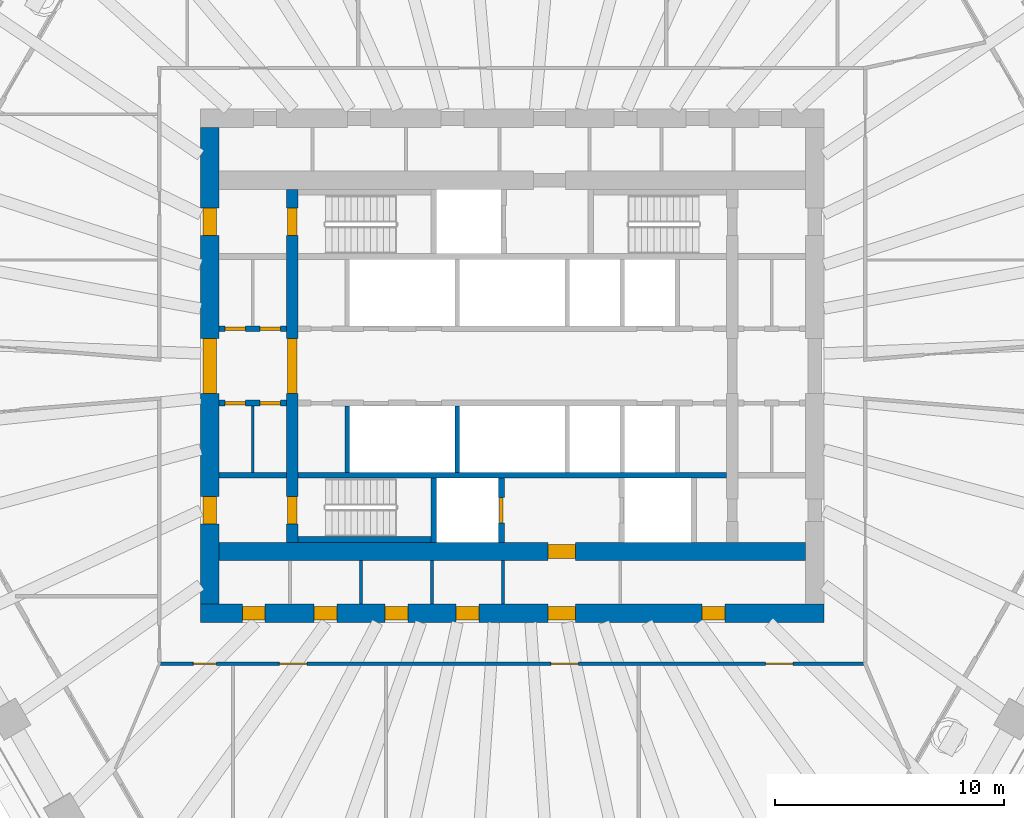
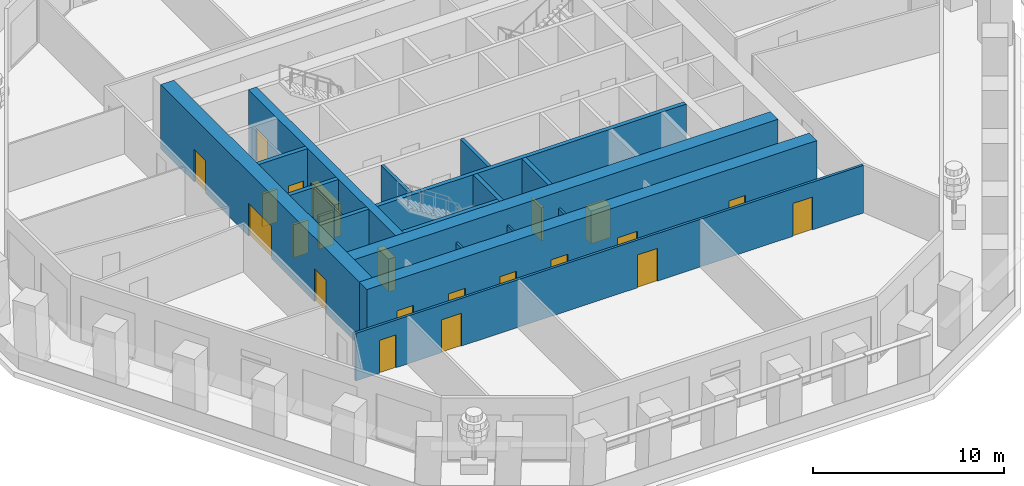
# One storey, part 4 of 13: 22 doors, 18 walls, 22 openings.
"""IFC4 building model written with IfcOpenShell, lengths in metres."""

from ifc_helpers import new_model, si_unit, direction, frame, frame_2d, origin, place, context, subcontext, project, spatial, rectangle, extrude, material, layer, layer_set, type_object, element, fill, save


model = new_model("IFC4")

# Units and contexts
model_context = context("Model", 3, precision=1e-05, world=origin(), true_north=direction((0.0, 1.0)))
body_context = subcontext(model_context, "Body", "Model", "MODEL_VIEW")
ifc_project = project(units=[si_unit("LENGTHUNIT", "METRE"), si_unit("AREAUNIT", "SQUARE_METRE"), si_unit("VOLUMEUNIT", "CUBIC_METRE"), si_unit("PLANEANGLEUNIT", "RADIAN"), si_unit("MASSUNIT", "GRAM", prefix="KILO")], contexts=[model_context])

# Site, building, storey
site_placement = place(None, origin())
site = spatial("IfcSite", under=ifc_project, at=site_placement, CompositionType="ELEMENT")
building_placement = place(site_placement, origin())
building = spatial("IfcBuilding", under=site, at=building_placement, Name="Frailejon Research Tower", CompositionType="ELEMENT")
storey_placement = place(building_placement, frame((0.0, 0.0, 117.60009765625)))
storey = spatial("IfcBuildingStorey", under=building, at=storey_placement, Name="L25", CompositionType="ELEMENT", Elevation=117.60009765625)

# Walls
ifc_material_1 = material(Name="Plasterboard on steel studs", Category="steel")
ifc_layer_1 = layer(ifc_material_1, 0.125)
ifc_layer_set_1 = layer_set([ifc_layer_1], Name="Core partition 125")
wall_type_1 = type_object("IfcWallType", Name="Core partition 125", PredefinedType="PARTITIONING", material=ifc_layer_set_1)
for number, where, z_axis, x_axis, name in (
    (1, (-6.606201171875, -10.39990234375, 0.0), (0.0, 0.0, 1.0), (0.0, 1.0, 0.0), "Core partition"),
    (2, (-3.509521484375, -10.39990234375, 0.0), (0.0, 0.0, 1.0), (0.0, 1.0, 0.0), "Core partition"),
    (3, (-0.41259765625, -10.39990234375, 0.0), (0.0, 0.0, 1.0), (0.0, 1.0, 0.0), "Core partition"),
):
    element("IfcWall", number, at=place(storey_placement, frame(where, z_axis=z_axis, x_axis=x_axis)), inside=storey, type_object=wall_type_1, Name=name, PredefinedType="PARTITIONING", context=body_context, shape_type="SweptSolid", body=[
        extrude(rectangle(XDim=1.89990234375, YDim=0.125, at=frame_2d((0.949951171875, 0.0))), origin(), (0.0, 0.0, 1.0), 3.0498046875),
    ])
wall_1_placement = place(storey_placement, frame((-11.324951171875, -4.64990234375, 0.0), z_axis=(0.0, 0.0, 1.0), x_axis=(0.0, 1.0, 0.0)))
element("IfcWall", 4, at=wall_1_placement, inside=storey, type_object=wall_type_1, Name="Core partition", PredefinedType="PARTITIONING", context=body_context, shape_type="SweptSolid", body=[
    extrude(rectangle(XDim=2.89990234375, YDim=0.125, at=frame_2d((1.449951171875, 0.0))), origin(), (0.0, 0.0, 1.0), 4.099853515625),
])

# Wall, openings, doors
ifc_material_2 = material(Name="Concrete C70/85", Category="concrete")
ifc_layer_2 = layer(ifc_material_2, 0.5)
ifc_layer_set_2 = layer_set([ifc_layer_2], Name="Core shear wall 500 C70/85")
wall_type_2 = type_object("IfcWallType", Name="Core shear wall 500 C70/85", PredefinedType="SHEAR", material=ifc_layer_set_2)
wall_2_placement = place(storey_placement, frame((-9.60009765625, -7.699951171875, 0.0), z_axis=(0.0, 0.0, 1.0), x_axis=(0.0, 1.0, 0.0)))
wall_2 = element("IfcWall", 5, at=wall_2_placement, inside=storey, type_object=wall_type_2, Name="Core shear wall", PredefinedType="SHEAR", context=body_context, shape_type="SweptSolid", body=[
    extrude(rectangle(XDim=15.39990234375, YDim=0.5, at=frame_2d((7.699951171875, 0.0))), origin(), (0.0, 0.0, 1.0), 4.099853515625),
])
opening_1_placement = place(wall_2_placement, frame((6.5, 0.0, 0.0)))
opening_1 = element("IfcOpeningElement", 6, at=opening_1_placement, cuts=wall_2, Name="Opening D2", PredefinedType="OPENING", context=body_context, shape_type="SweptSolid", body=[
    extrude(rectangle(XDim=2.39990234375, YDim=2.10009765625, at=frame_2d((1.199951171875, 1.050048828125))), frame((0.0, 0.260009765625, 0.0), z_axis=(0.0, -1.0, 0.0), x_axis=(1.0, 0.0, 0.0)), (0.0, 0.0, 1.0), 0.52001953125),
])
opening_2_placement = place(wall_2_placement, frame((13.39990234375, 0.0, 0.0)))
opening_2 = element("IfcOpeningElement", 7, at=opening_2_placement, cuts=wall_2, Name="Opening D1", PredefinedType="OPENING", context=body_context, shape_type="SweptSolid", body=[
    extrude(rectangle(XDim=1.199951171875, YDim=2.10009765625, at=frame_2d((0.60009765625, 1.050048828125))), frame((0.0, 0.260009765625, 0.0), z_axis=(0.0, -1.0, 0.0), x_axis=(1.0, 0.0, 0.0)), (0.0, 0.0, 1.0), 0.52001953125),
])
opening_3_placement = place(wall_2_placement, frame((0.800048828125, 0.0, 0.0)))
opening_3 = element("IfcOpeningElement", 8, at=opening_3_placement, cuts=wall_2, Name="Opening D1", PredefinedType="OPENING", context=body_context, shape_type="SweptSolid", body=[
    extrude(rectangle(XDim=1.199951171875, YDim=2.10009765625, at=frame_2d((0.60009765625, 1.050048828125))), frame((0.0, 0.260009765625, 0.0), z_axis=(0.0, -1.0, 0.0), x_axis=(1.0, 0.0, 0.0)), (0.0, 0.0, 1.0), 0.52001953125),
])
ifc_material_3 = material(Name="Steel", Category="steel")
door_type_1 = type_object("IfcDoorType", Name="Lobby double door", OperationType="DOUBLE_DOOR_SINGLE_SWING", PredefinedType="DOOR", material=ifc_material_3)
door_1_placement = place(opening_1_placement, origin())
door_1 = element("IfcDoor", 9, at=door_1_placement, inside=storey, type_object=door_type_1, Name="Lobby door", OperationType="DOUBLE_DOOR_SINGLE_SWING", OverallHeight=2.10009765625, OverallWidth=2.39990234375, PredefinedType="DOOR", context=body_context, shape_type="SweptSolid", body=[
    extrude(rectangle(XDim=2.39990234375, YDim=2.10009765625, at=frame_2d((1.199951171875, 1.050048828125))), frame((0.0, 0.199951171875, 0.0), z_axis=(0.0, -1.0, 0.0), x_axis=(1.0, 0.0, 0.0)), (0.0, 0.0, 1.0), 0.39990234375),
])
fill(opening_1, door_1)
ifc_material_4 = material(Name="Steel", Category="steel")
door_type_2 = type_object("IfcDoorType", Name="Stair door", OperationType="SINGLE_SWING_LEFT", PredefinedType="DOOR", material=ifc_material_4)
door_2_placement = place(opening_2_placement, origin())
door_2 = element("IfcDoor", 10, at=door_2_placement, inside=storey, type_object=door_type_2, Name="Stair door ST1", OperationType="SINGLE_SWING_LEFT", OverallHeight=2.10009765625, OverallWidth=1.199951171875, PredefinedType="DOOR", context=body_context, shape_type="SweptSolid", body=[
    extrude(rectangle(XDim=1.199951171875, YDim=2.10009765625, at=frame_2d((0.60009765625, 1.050048828125))), frame((0.0, 0.199951171875, 0.0), z_axis=(0.0, -1.0, 0.0), x_axis=(1.0, 0.0, 0.0)), (0.0, 0.0, 1.0), 0.39990234375),
])
fill(opening_2, door_2)
door_3_placement = place(opening_3_placement, origin())
door_3 = element("IfcDoor", 11, at=door_3_placement, inside=storey, type_object=door_type_2, Name="Stair door ST2", OperationType="SINGLE_SWING_LEFT", OverallHeight=2.10009765625, OverallWidth=1.199951171875, PredefinedType="DOOR", context=body_context, shape_type="SweptSolid", body=[
    extrude(rectangle(XDim=1.199951171875, YDim=2.10009765625, at=frame_2d((0.60009765625, 1.050048828125))), frame((0.0, 0.199951171875, 0.0), z_axis=(0.0, -1.0, 0.0), x_axis=(1.0, 0.0, 0.0)), (0.0, 0.0, 1.0), 0.39990234375),
])
fill(opening_3, door_3)

ifc_material_5 = material(Name="Concrete C70/85", Category="concrete")
ifc_layer_3 = layer(ifc_material_5, 0.800048828125)
ifc_layer_set_3 = layer_set([ifc_layer_3], Name="Core shear wall 800 C70/85")
wall_type_3 = type_object("IfcWallType", Name="Core shear wall 800 C70/85", PredefinedType="SHEAR", material=ifc_layer_set_3)
wall_3_placement = place(storey_placement, frame((-13.60009765625, -10.800048828125, 0.0), z_axis=(0.0, 0.0, 1.0), x_axis=(1.0, 0.0, 0.0)))
wall_3 = element("IfcWall", 12, at=wall_3_placement, inside=storey, type_object=wall_type_3, Name="Core shear wall", PredefinedType="SHEAR", context=body_context, shape_type="SweptSolid", body=[
    extrude(rectangle(XDim=27.2001953125, YDim=0.800048828125, at=frame_2d((13.60009765625, 0.0))), origin(), (0.0, 0.0, 1.0), 4.099853515625),
])
opening_4_placement = place(wall_3_placement, frame((1.817138671875, 0.0, 0.0)))
opening_4 = element("IfcOpeningElement", 13, at=opening_4_placement, cuts=wall_3, Name="Opening D4", PredefinedType="OPENING", context=body_context, shape_type="SweptSolid", body=[
    extrude(rectangle(XDim=1.0, YDim=2.10009765625, at=frame_2d((0.5, 1.050048828125))), frame((0.0, 0.409912109375, 0.0), z_axis=(0.0, -1.0, 0.0), x_axis=(1.0, 0.0, 0.0)), (0.0, 0.0, 1.0), 0.820068359375),
])
opening_5_placement = place(wall_3_placement, frame((4.9453125, 0.0, 0.0)))
opening_5 = element("IfcOpeningElement", 14, at=opening_5_placement, cuts=wall_3, Name="Opening D4", PredefinedType="OPENING", context=body_context, shape_type="SweptSolid", body=[
    extrude(rectangle(XDim=1.0, YDim=2.10009765625, at=frame_2d((0.5, 1.050048828125))), frame((0.0, 0.409912109375, 0.0), z_axis=(0.0, -1.0, 0.0), x_axis=(1.0, 0.0, 0.0)), (0.0, 0.0, 1.0), 0.820068359375),
])
opening_6_placement = place(wall_3_placement, frame((8.042236328125, 0.0, 0.0)))
opening_6 = element("IfcOpeningElement", 15, at=opening_6_placement, cuts=wall_3, Name="Opening D4", PredefinedType="OPENING", context=body_context, shape_type="SweptSolid", body=[
    extrude(rectangle(XDim=1.0, YDim=2.10009765625, at=frame_2d((0.5, 1.050048828125))), frame((0.0, 0.409912109375, 0.0), z_axis=(0.0, -1.0, 0.0), x_axis=(1.0, 0.0, 0.0)), (0.0, 0.0, 1.0), 0.820068359375),
])
opening_7_placement = place(wall_3_placement, frame((11.13916015625, 0.0, 0.0)))
opening_7 = element("IfcOpeningElement", 16, at=opening_7_placement, cuts=wall_3, Name="Opening D4", PredefinedType="OPENING", context=body_context, shape_type="SweptSolid", body=[
    extrude(rectangle(XDim=1.0, YDim=2.10009765625, at=frame_2d((0.5, 1.050048828125))), frame((0.0, 0.409912109375, 0.0), z_axis=(0.0, -1.0, 0.0), x_axis=(1.0, 0.0, 0.0)), (0.0, 0.0, 1.0), 0.820068359375),
])
opening_8_placement = place(wall_3_placement, frame((21.887451171875, 0.0, 0.0)))
opening_8 = element("IfcOpeningElement", 17, at=opening_8_placement, cuts=wall_3, Name="Opening D4", PredefinedType="OPENING", context=body_context, shape_type="SweptSolid", body=[
    extrude(rectangle(XDim=1.0, YDim=2.10009765625, at=frame_2d((0.5, 1.050048828125))), frame((0.0, 0.409912109375, 0.0), z_axis=(0.0, -1.0, 0.0), x_axis=(1.0, 0.0, 0.0)), (0.0, 0.0, 1.0), 0.820068359375),
])
opening_9_placement = place(wall_3_placement, frame((15.14990234375, 0.0, 0.0)))
opening_9 = element("IfcOpeningElement", 18, at=opening_9_placement, cuts=wall_3, Name="Opening D3", PredefinedType="OPENING", context=body_context, shape_type="SweptSolid", body=[
    extrude(rectangle(XDim=1.199951171875, YDim=2.10009765625, at=frame_2d((0.60009765625, 1.050048828125))), frame((0.0, 0.409912109375, 0.0), z_axis=(0.0, -1.0, 0.0), x_axis=(1.0, 0.0, 0.0)), (0.0, 0.0, 1.0), 0.820068359375),
])
ifc_material_6 = material(Name="Steel", Category="steel")
door_type_3 = type_object("IfcDoorType", Name="Firefighting lobby door", OperationType="SINGLE_SWING_LEFT", PredefinedType="DOOR", material=ifc_material_6)
door_4_placement = place(opening_9_placement, origin())
door_4 = element("IfcDoor", 19, at=door_4_placement, inside=storey, type_object=door_type_3, Name="Passage door", OperationType="SINGLE_SWING_LEFT", OverallHeight=2.10009765625, OverallWidth=1.199951171875, PredefinedType="DOOR", context=body_context, shape_type="SweptSolid", body=[
    extrude(rectangle(XDim=1.199951171875, YDim=2.10009765625, at=frame_2d((0.60009765625, 1.050048828125))), frame((0.0, 0.300048828125, 0.0), z_axis=(0.0, -1.0, 0.0), x_axis=(1.0, 0.0, 0.0)), (0.0, 0.0, 1.0), 0.60009765625),
])
fill(opening_9, door_4)
ifc_material_7 = material(Name="Steel", Category="steel")
door_type_4 = type_object("IfcDoorType", Name="Service door", OperationType="SINGLE_SWING_LEFT", PredefinedType="DOOR", material=ifc_material_7)
door_5_placement = place(opening_4_placement, origin())
door_5 = element("IfcDoor", 20, at=door_5_placement, inside=storey, type_object=door_type_4, Name="Room door", OperationType="SINGLE_SWING_RIGHT", OverallHeight=2.10009765625, OverallWidth=1.0, PredefinedType="DOOR", context=body_context, shape_type="SweptSolid", body=[
    extrude(rectangle(XDim=1.0, YDim=2.10009765625, at=frame_2d((0.5, 1.050048828125))), frame((0.0, 0.300048828125, 0.0), z_axis=(0.0, -1.0, 0.0), x_axis=(1.0, 0.0, 0.0)), (0.0, 0.0, 1.0), 0.60009765625),
])
fill(opening_4, door_5)
door_6_placement = place(opening_5_placement, origin())
door_6 = element("IfcDoor", 21, at=door_6_placement, inside=storey, type_object=door_type_4, Name="Room door", OperationType="SINGLE_SWING_LEFT", OverallHeight=2.10009765625, OverallWidth=1.0, PredefinedType="DOOR", context=body_context, shape_type="SweptSolid", body=[
    extrude(rectangle(XDim=1.0, YDim=2.10009765625, at=frame_2d((0.5, 1.050048828125))), frame((0.0, 0.300048828125, 0.0), z_axis=(0.0, -1.0, 0.0), x_axis=(1.0, 0.0, 0.0)), (0.0, 0.0, 1.0), 0.60009765625),
])
fill(opening_5, door_6)
door_7_placement = place(opening_6_placement, origin())
door_7 = element("IfcDoor", 22, at=door_7_placement, inside=storey, type_object=door_type_4, Name="Room door", OperationType="SINGLE_SWING_RIGHT", OverallHeight=2.10009765625, OverallWidth=1.0, PredefinedType="DOOR", context=body_context, shape_type="SweptSolid", body=[
    extrude(rectangle(XDim=1.0, YDim=2.10009765625, at=frame_2d((0.5, 1.050048828125))), frame((0.0, 0.300048828125, 0.0), z_axis=(0.0, -1.0, 0.0), x_axis=(1.0, 0.0, 0.0)), (0.0, 0.0, 1.0), 0.60009765625),
])
fill(opening_6, door_7)
door_8_placement = place(opening_7_placement, origin())
door_8 = element("IfcDoor", 23, at=door_8_placement, inside=storey, type_object=door_type_4, Name="Room door", OperationType="SINGLE_SWING_LEFT", OverallHeight=2.10009765625, OverallWidth=1.0, PredefinedType="DOOR", context=body_context, shape_type="SweptSolid", body=[
    extrude(rectangle(XDim=1.0, YDim=2.10009765625, at=frame_2d((0.5, 1.050048828125))), frame((0.0, 0.300048828125, 0.0), z_axis=(0.0, -1.0, 0.0), x_axis=(1.0, 0.0, 0.0)), (0.0, 0.0, 1.0), 0.60009765625),
])
fill(opening_7, door_8)
door_9_placement = place(opening_8_placement, origin())
door_9 = element("IfcDoor", 24, at=door_9_placement, inside=storey, type_object=door_type_4, Name="Room door", OperationType="SINGLE_SWING_RIGHT", OverallHeight=2.10009765625, OverallWidth=1.0, PredefinedType="DOOR", context=body_context, shape_type="SweptSolid", body=[
    extrude(rectangle(XDim=1.0, YDim=2.10009765625, at=frame_2d((0.5, 1.050048828125))), frame((0.0, 0.300048828125, 0.0), z_axis=(0.0, -1.0, 0.0), x_axis=(1.0, 0.0, 0.0)), (0.0, 0.0, 1.0), 0.60009765625),
])
fill(opening_8, door_9)

wall_4_placement = place(storey_placement, frame((-13.199951171875, -10.39990234375, 0.0), z_axis=(0.0, 0.0, 1.0), x_axis=(0.0, 1.0, 0.0)))
wall_4 = element("IfcWall", 25, at=wall_4_placement, inside=storey, type_object=wall_type_3, Name="Core shear wall", PredefinedType="SHEAR", context=body_context, shape_type="SweptSolid", body=[
    extrude(rectangle(XDim=20.7998046875, YDim=0.800048828125, at=frame_2d((10.39990234375, 0.0))), origin(), (0.0, 0.0, 1.0), 4.099853515625),
])
opening_10_placement = place(wall_4_placement, frame((9.199951171875, 0.0, 0.0)))
opening_10 = element("IfcOpeningElement", 26, at=opening_10_placement, cuts=wall_4, Name="Opening D2", PredefinedType="OPENING", context=body_context, shape_type="SweptSolid", body=[
    extrude(rectangle(XDim=2.39990234375, YDim=2.10009765625, at=frame_2d((1.199951171875, 1.050048828125))), frame((0.0, 0.409912109375, 0.0), z_axis=(0.0, -1.0, 0.0), x_axis=(1.0, 0.0, 0.0)), (0.0, 0.0, 1.0), 0.820068359375),
])
opening_11_placement = place(wall_4_placement, frame((16.10009765625, 0.0, 0.0)))
opening_11 = element("IfcOpeningElement", 27, at=opening_11_placement, cuts=wall_4, Name="Opening D7", PredefinedType="OPENING", context=body_context, shape_type="SweptSolid", body=[
    extrude(rectangle(XDim=1.199951171875, YDim=2.10009765625, at=frame_2d((0.60009765625, 1.050048828125))), frame((0.0, 0.409912109375, 0.0), z_axis=(0.0, -1.0, 0.0), x_axis=(1.0, 0.0, 0.0)), (0.0, 0.0, 1.0), 0.820068359375),
])
opening_12_placement = place(wall_4_placement, frame((3.5, 0.0, 0.0)))
opening_12 = element("IfcOpeningElement", 28, at=opening_12_placement, cuts=wall_4, Name="Opening D7", PredefinedType="OPENING", context=body_context, shape_type="SweptSolid", body=[
    extrude(rectangle(XDim=1.199951171875, YDim=2.10009765625, at=frame_2d((0.60009765625, 1.050048828125))), frame((0.0, 0.409912109375, 0.0), z_axis=(0.0, -1.0, 0.0), x_axis=(1.0, 0.0, 0.0)), (0.0, 0.0, 1.0), 0.820068359375),
])
door_10_placement = place(opening_10_placement, origin())
door_10 = element("IfcDoor", 29, at=door_10_placement, inside=storey, type_object=door_type_1, Name="Lobby door", OperationType="DOUBLE_DOOR_SINGLE_SWING", OverallHeight=2.10009765625, OverallWidth=2.39990234375, PredefinedType="DOOR", context=body_context, shape_type="SweptSolid", body=[
    extrude(rectangle(XDim=2.39990234375, YDim=2.10009765625, at=frame_2d((1.199951171875, 1.050048828125))), frame((0.0, 0.300048828125, 0.0), z_axis=(0.0, -1.0, 0.0), x_axis=(1.0, 0.0, 0.0)), (0.0, 0.0, 1.0), 0.60009765625),
])
fill(opening_10, door_10)
ifc_material_8 = material(Name="Steel", Category="steel")
door_type_5 = type_object("IfcDoorType", Name="Stair exit door", OperationType="SINGLE_SWING_LEFT", PredefinedType="DOOR", material=ifc_material_8)
door_11_placement = place(opening_11_placement, origin())
door_11 = element("IfcDoor", 30, at=door_11_placement, inside=storey, type_object=door_type_5, Name="Stair exit door ST1", OperationType="SINGLE_SWING_RIGHT", OverallHeight=2.10009765625, OverallWidth=1.199951171875, PredefinedType="DOOR", context=body_context, shape_type="SweptSolid", body=[
    extrude(rectangle(XDim=1.199951171875, YDim=2.10009765625, at=frame_2d((0.60009765625, 1.050048828125))), frame((0.0, 0.300048828125, 0.0), z_axis=(0.0, -1.0, 0.0), x_axis=(1.0, 0.0, 0.0)), (0.0, 0.0, 1.0), 0.60009765625),
])
fill(opening_11, door_11)
door_12_placement = place(opening_12_placement, origin())
door_12 = element("IfcDoor", 31, at=door_12_placement, inside=storey, type_object=door_type_5, Name="Stair exit door ST2", OperationType="SINGLE_SWING_RIGHT", OverallHeight=2.10009765625, OverallWidth=1.199951171875, PredefinedType="DOOR", context=body_context, shape_type="SweptSolid", body=[
    extrude(rectangle(XDim=1.199951171875, YDim=2.10009765625, at=frame_2d((0.60009765625, 1.050048828125))), frame((0.0, 0.300048828125, 0.0), z_axis=(0.0, -1.0, 0.0), x_axis=(1.0, 0.0, 0.0)), (0.0, 0.0, 1.0), 0.60009765625),
])
fill(opening_12, door_12)

# Wall, opening, door
wall_5_placement = place(storey_placement, frame((-12.800048828125, -8.10009765625, 0.0), z_axis=(0.0, 0.0, 1.0), x_axis=(1.0, 0.0, 0.0)))
wall_5 = element("IfcWall", 32, at=wall_5_placement, inside=storey, type_object=wall_type_3, Name="Core shear wall", PredefinedType="SHEAR", context=body_context, shape_type="SweptSolid", body=[
    extrude(rectangle(XDim=25.60009765625, YDim=0.800048828125, at=frame_2d((12.800048828125, 0.0))), origin(), (0.0, 0.0, 1.0), 4.099853515625),
])
opening_13_placement = place(wall_5_placement, frame((14.35009765625, 0.0, 0.0)))
opening_13 = element("IfcOpeningElement", 33, at=opening_13_placement, cuts=wall_5, Name="Opening D3", PredefinedType="OPENING", context=body_context, shape_type="SweptSolid", body=[
    extrude(rectangle(XDim=1.199951171875, YDim=2.10009765625, at=frame_2d((0.60009765625, 1.050048828125))), frame((0.0, 0.409912109375, 0.0), z_axis=(0.0, -1.0, 0.0), x_axis=(1.0, 0.0, 0.0)), (0.0, 0.0, 1.0), 0.820068359375),
])
door_13_placement = place(opening_13_placement, origin())
door_13 = element("IfcDoor", 34, at=door_13_placement, inside=storey, type_object=door_type_3, Name="Firefighting lobby door", OperationType="SINGLE_SWING_LEFT", OverallHeight=2.10009765625, OverallWidth=1.199951171875, PredefinedType="DOOR", context=body_context, shape_type="SweptSolid", body=[
    extrude(rectangle(XDim=1.199951171875, YDim=2.10009765625, at=frame_2d((0.60009765625, 1.050048828125))), frame((0.0, 0.300048828125, 0.0), z_axis=(0.0, -1.0, 0.0), x_axis=(1.0, 0.0, 0.0)), (0.0, 0.0, 1.0), 0.60009765625),
])
fill(opening_13, door_13)

# Wall, openings, doors
ifc_material_9 = material(Name="Gypsum board and masonry partition", Category="masonry")
ifc_layer_4 = layer(ifc_material_9, 0.14990234375)
ifc_layer_set_4 = layer_set([ifc_layer_4], Name="Corridor wall EI 60, gypsum on steel studs 150")
wall_type_4 = type_object("IfcWallType", Name="Corridor wall EI 60, gypsum on steel studs 150", PredefinedType="PARTITIONING", material=ifc_layer_set_4)
wall_6_placement = place(storey_placement, frame((-15.35009765625, -13.0, 0.0), z_axis=(0.0, 0.0, 1.0), x_axis=(1.0, 0.0, 0.0)))
wall_6 = element("IfcWall", 35, at=wall_6_placement, inside=storey, type_object=wall_type_4, Name="T:IW:L25:006", PredefinedType="PARTITIONING", context=body_context, shape_type="SweptSolid", body=[
    extrude(rectangle(XDim=30.675048828125, YDim=0.14990234375, at=frame_2d((15.33740234375, 0.0))), origin(), (0.0, 0.0, 1.0), 3.0498046875),
])
opening_14_placement = place(wall_6_placement, frame((1.43359375, 0.0, 0.0)))
opening_14 = element("IfcOpeningElement", 36, at=opening_14_placement, cuts=wall_6, Name="Opening D1626", PredefinedType="OPENING", context=body_context, shape_type="SweptSolid", body=[
    extrude(rectangle(XDim=1.0, YDim=2.10009765625, at=frame_2d((0.5, 1.050048828125))), frame((0.0, 0.0849609375, 0.0), z_axis=(0.0, -1.0, 0.0), x_axis=(1.0, 0.0, 0.0)), (0.0, 0.0, 1.0), 0.169921875),
])
opening_15_placement = place(wall_6_placement, frame((5.1826171875, 0.0, 0.0)))
opening_15 = element("IfcOpeningElement", 37, at=opening_15_placement, cuts=wall_6, Name="Opening D1627", PredefinedType="OPENING", context=body_context, shape_type="SweptSolid", body=[
    extrude(rectangle(XDim=1.199951171875, YDim=2.10009765625, at=frame_2d((0.60009765625, 1.050048828125))), frame((0.0, 0.0849609375, 0.0), z_axis=(0.0, -1.0, 0.0), x_axis=(1.0, 0.0, 0.0)), (0.0, 0.0, 1.0), 0.169921875),
])
opening_16_placement = place(wall_6_placement, frame((17.031494140625, 0.0, 0.0)))
opening_16 = element("IfcOpeningElement", 38, at=opening_16_placement, cuts=wall_6, Name="Opening D1628", PredefinedType="OPENING", context=body_context, shape_type="SweptSolid", body=[
    extrude(rectangle(XDim=1.199951171875, YDim=2.10009765625, at=frame_2d((0.60009765625, 1.050048828125))), frame((0.0, 0.0849609375, 0.0), z_axis=(0.0, -1.0, 0.0), x_axis=(1.0, 0.0, 0.0)), (0.0, 0.0, 1.0), 0.169921875),
])
opening_17_placement = place(wall_6_placement, frame((26.404541015625, 0.0, 0.0)))
opening_17 = element("IfcOpeningElement", 39, at=opening_17_placement, cuts=wall_6, Name="Opening D1629", PredefinedType="OPENING", context=body_context, shape_type="SweptSolid", body=[
    extrude(rectangle(XDim=1.199951171875, YDim=2.10009765625, at=frame_2d((0.60009765625, 1.050048828125))), frame((0.0, 0.0849609375, 0.0), z_axis=(0.0, -1.0, 0.0), x_axis=(1.0, 0.0, 0.0)), (0.0, 0.0, 1.0), 0.169921875),
])
ifc_material_10 = material(Name="Timber door leaf", Category="wood")
door_type_6 = type_object("IfcDoorType", Name="Door laboratory, timber, vision panel 1200", OperationType="NOTDEFINED", PredefinedType="DOOR", material=ifc_material_10)
door_14_placement = place(opening_15_placement, origin())
door_14 = element("IfcDoor", 40, at=door_14_placement, inside=storey, type_object=door_type_6, Name="D1627", OperationType="DOUBLE_DOOR_SINGLE_SWING", OverallHeight=2.10009765625, OverallWidth=1.199951171875, PredefinedType="DOOR", context=body_context, shape_type="SweptSolid", body=[
    extrude(rectangle(XDim=1.199951171875, YDim=2.10009765625, at=frame_2d((0.60009765625, 1.050048828125))), frame((0.0, 0.02490234375, 0.0), z_axis=(0.0, -1.0, 0.0), x_axis=(1.0, 0.0, 0.0)), (0.0, 0.0, 1.0), 0.050048828125),
])
fill(opening_15, door_14)
door_15_placement = place(opening_16_placement, origin())
door_15 = element("IfcDoor", 41, at=door_15_placement, inside=storey, type_object=door_type_6, Name="D1628", OperationType="DOUBLE_DOOR_SINGLE_SWING", OverallHeight=2.10009765625, OverallWidth=1.199951171875, PredefinedType="DOOR", context=body_context, shape_type="SweptSolid", body=[
    extrude(rectangle(XDim=1.199951171875, YDim=2.10009765625, at=frame_2d((0.60009765625, 1.050048828125))), frame((0.0, 0.02490234375, 0.0), z_axis=(0.0, -1.0, 0.0), x_axis=(1.0, 0.0, 0.0)), (0.0, 0.0, 1.0), 0.050048828125),
])
fill(opening_16, door_15)
door_16_placement = place(opening_17_placement, origin())
door_16 = element("IfcDoor", 42, at=door_16_placement, inside=storey, type_object=door_type_6, Name="D1629", OperationType="DOUBLE_DOOR_SINGLE_SWING", OverallHeight=2.10009765625, OverallWidth=1.199951171875, PredefinedType="DOOR", context=body_context, shape_type="SweptSolid", body=[
    extrude(rectangle(XDim=1.199951171875, YDim=2.10009765625, at=frame_2d((0.60009765625, 1.050048828125))), frame((0.0, 0.02490234375, 0.0), z_axis=(0.0, -1.0, 0.0), x_axis=(1.0, 0.0, 0.0)), (0.0, 0.0, 1.0), 0.050048828125),
])
fill(opening_17, door_16)
ifc_material_11 = material(Name="Timber door leaf", Category="wood")
door_type_7 = type_object("IfcDoorType", Name="Door single leaf, timber, steel frame 1000", OperationType="NOTDEFINED", PredefinedType="DOOR", material=ifc_material_11)
door_17_placement = place(opening_14_placement, origin())
door_17 = element("IfcDoor", 43, at=door_17_placement, inside=storey, type_object=door_type_7, Name="D1626", OperationType="SINGLE_SWING_LEFT", OverallHeight=2.10009765625, OverallWidth=1.0, PredefinedType="DOOR", context=body_context, shape_type="SweptSolid", body=[
    extrude(rectangle(XDim=1.0, YDim=2.10009765625, at=frame_2d((0.5, 1.050048828125))), frame((0.0, 0.02490234375, 0.0), z_axis=(0.0, -1.0, 0.0), x_axis=(1.0, 0.0, 0.0)), (0.0, 0.0, 1.0), 0.050048828125),
])
fill(opening_14, door_17)

# Walls
ifc_material_12 = material(Name="Concrete C70/85", Category="concrete")
ifc_layer_5 = layer(ifc_material_12, 0.199951171875)
ifc_layer_set_5 = layer_set([ifc_layer_5], Name="Shaft wall 200 C70/85")
wall_type_5 = type_object("IfcWallType", Name="Shaft wall 200 C70/85", PredefinedType="SOLIDWALL", material=ifc_layer_set_5)
for number, where, z_axis, x_axis, name in (
    (44, (-7.199951171875, -4.64990234375, 0.0), (0.0, 0.0, 1.0), (0.0, 1.0, 0.0), "Shaft wall"),
    (45, (-2.39990234375, -4.64990234375, 0.0), (0.0, 0.0, 1.0), (0.0, 1.0, 0.0), "Shaft wall"),
):
    element("IfcWall", number, at=place(storey_placement, frame(where, z_axis=z_axis, x_axis=x_axis)), inside=storey, type_object=wall_type_5, Name=name, PredefinedType="SOLIDWALL", context=body_context, shape_type="SweptSolid", body=[
        extrude(rectangle(XDim=2.89990234375, YDim=0.199951171875, at=frame_2d((1.449951171875, 0.0))), origin(), (0.0, 0.0, 1.0), 4.099853515625),
    ])

# Wall, openings, doors
ifc_material_13 = material(Name="Concrete C70/85", Category="concrete")
ifc_layer_6 = layer(ifc_material_13, 0.25)
ifc_layer_set_6 = layer_set([ifc_layer_6], Name="Shaft wall 250 C70/85")
wall_type_6 = type_object("IfcWallType", Name="Shaft wall 250 C70/85", PredefinedType="SOLIDWALL", material=ifc_layer_set_6)
wall_7_placement = place(storey_placement, frame((-12.800048828125, 1.625, 0.0), z_axis=(0.0, 0.0, 1.0), x_axis=(1.0, 0.0, 0.0)))
wall_7 = element("IfcWall", 46, at=wall_7_placement, inside=storey, type_object=wall_type_6, Name="Shaft wall", PredefinedType="SOLIDWALL", context=body_context, shape_type="SweptSolid", body=[
    extrude(rectangle(XDim=2.949951171875, YDim=0.25, at=frame_2d((1.47509765625, 0.0))), origin(), (0.0, 0.0, 1.0), 4.099853515625),
])
opening_18_placement = place(wall_7_placement, frame((0.256103515625, 0.0, 0.0)))
opening_18 = element("IfcOpeningElement", 47, at=opening_18_placement, cuts=wall_7, Name="Opening D8", PredefinedType="OPENING", context=body_context, shape_type="SweptSolid", body=[
    extrude(rectangle(XDim=0.89990234375, YDim=2.10009765625, at=frame_2d((0.449951171875, 1.050048828125))), frame((0.0, 0.135009765625, 0.0), z_axis=(0.0, -1.0, 0.0), x_axis=(1.0, 0.0, 0.0)), (0.0, 0.0, 1.0), 0.27001953125),
])
opening_19_placement = place(wall_7_placement, frame((1.793701171875, 0.0, 0.0)))
opening_19 = element("IfcOpeningElement", 48, at=opening_19_placement, cuts=wall_7, Name="Opening D8", PredefinedType="OPENING", context=body_context, shape_type="SweptSolid", body=[
    extrude(rectangle(XDim=0.89990234375, YDim=2.10009765625, at=frame_2d((0.449951171875, 1.050048828125))), frame((0.0, 0.135009765625, 0.0), z_axis=(0.0, -1.0, 0.0), x_axis=(1.0, 0.0, 0.0)), (0.0, 0.0, 1.0), 0.27001953125),
])
ifc_material_14 = material(Name="Steel", Category="steel")
door_type_8 = type_object("IfcDoorType", Name="Core room door", OperationType="SINGLE_SWING_LEFT", PredefinedType="DOOR", material=ifc_material_14)
door_18_placement = place(opening_18_placement, origin())
door_18 = element("IfcDoor", 49, at=door_18_placement, inside=storey, type_object=door_type_8, Name="Room door", OperationType="SINGLE_SWING_RIGHT", OverallHeight=2.10009765625, OverallWidth=0.89990234375, PredefinedType="DOOR", context=body_context, shape_type="SweptSolid", body=[
    extrude(rectangle(XDim=0.89990234375, YDim=2.10009765625, at=frame_2d((0.449951171875, 1.050048828125))), frame((0.0, 0.074951171875, 0.0), z_axis=(0.0, -1.0, 0.0), x_axis=(1.0, 0.0, 0.0)), (0.0, 0.0, 1.0), 0.14990234375),
])
fill(opening_18, door_18)
door_19_placement = place(opening_19_placement, origin())
door_19 = element("IfcDoor", 50, at=door_19_placement, inside=storey, type_object=door_type_8, Name="Room door", OperationType="SINGLE_SWING_LEFT", OverallHeight=2.10009765625, OverallWidth=0.89990234375, PredefinedType="DOOR", context=body_context, shape_type="SweptSolid", body=[
    extrude(rectangle(XDim=0.89990234375, YDim=2.10009765625, at=frame_2d((0.449951171875, 1.050048828125))), frame((0.0, 0.074951171875, 0.0), z_axis=(0.0, -1.0, 0.0), x_axis=(1.0, 0.0, 0.0)), (0.0, 0.0, 1.0), 0.14990234375),
])
fill(opening_19, door_19)

wall_8_placement = place(storey_placement, frame((-12.800048828125, -1.625, 0.0), z_axis=(0.0, 0.0, 1.0), x_axis=(1.0, 0.0, 0.0)))
wall_8 = element("IfcWall", 51, at=wall_8_placement, inside=storey, type_object=wall_type_6, Name="Shaft wall", PredefinedType="SOLIDWALL", context=body_context, shape_type="SweptSolid", body=[
    extrude(rectangle(XDim=2.949951171875, YDim=0.25, at=frame_2d((1.47509765625, 0.0))), origin(), (0.0, 0.0, 1.0), 4.099853515625),
])
opening_20_placement = place(wall_8_placement, frame((0.256103515625, 0.0, 0.0)))
opening_20 = element("IfcOpeningElement", 52, at=opening_20_placement, cuts=wall_8, Name="Opening D8", PredefinedType="OPENING", context=body_context, shape_type="SweptSolid", body=[
    extrude(rectangle(XDim=0.89990234375, YDim=2.10009765625, at=frame_2d((0.449951171875, 1.050048828125))), frame((0.0, 0.135009765625, 0.0), z_axis=(0.0, -1.0, 0.0), x_axis=(1.0, 0.0, 0.0)), (0.0, 0.0, 1.0), 0.27001953125),
])
opening_21_placement = place(wall_8_placement, frame((1.793701171875, 0.0, 0.0)))
opening_21 = element("IfcOpeningElement", 53, at=opening_21_placement, cuts=wall_8, Name="Opening D8", PredefinedType="OPENING", context=body_context, shape_type="SweptSolid", body=[
    extrude(rectangle(XDim=0.89990234375, YDim=2.10009765625, at=frame_2d((0.449951171875, 1.050048828125))), frame((0.0, 0.135009765625, 0.0), z_axis=(0.0, -1.0, 0.0), x_axis=(1.0, 0.0, 0.0)), (0.0, 0.0, 1.0), 0.27001953125),
])
door_20_placement = place(opening_20_placement, origin())
door_20 = element("IfcDoor", 54, at=door_20_placement, inside=storey, type_object=door_type_8, Name="Room door", OperationType="SINGLE_SWING_RIGHT", OverallHeight=2.10009765625, OverallWidth=0.89990234375, PredefinedType="DOOR", context=body_context, shape_type="SweptSolid", body=[
    extrude(rectangle(XDim=0.89990234375, YDim=2.10009765625, at=frame_2d((0.449951171875, 1.050048828125))), frame((0.0, 0.074951171875, 0.0), z_axis=(0.0, -1.0, 0.0), x_axis=(1.0, 0.0, 0.0)), (0.0, 0.0, 1.0), 0.14990234375),
])
fill(opening_20, door_20)
door_21_placement = place(opening_21_placement, origin())
door_21 = element("IfcDoor", 55, at=door_21_placement, inside=storey, type_object=door_type_8, Name="Room door", OperationType="SINGLE_SWING_LEFT", OverallHeight=2.10009765625, OverallWidth=0.89990234375, PredefinedType="DOOR", context=body_context, shape_type="SweptSolid", body=[
    extrude(rectangle(XDim=0.89990234375, YDim=2.10009765625, at=frame_2d((0.449951171875, 1.050048828125))), frame((0.0, 0.074951171875, 0.0), z_axis=(0.0, -1.0, 0.0), x_axis=(1.0, 0.0, 0.0)), (0.0, 0.0, 1.0), 0.14990234375),
])
fill(opening_21, door_21)

# Walls
wall_9_placement = place(storey_placement, frame((-12.800048828125, -4.77490234375, 0.0), z_axis=(0.0, 0.0, 1.0), x_axis=(1.0, 0.0, 0.0)))
element("IfcWall", 56, at=wall_9_placement, inside=storey, type_object=wall_type_6, Name="Shaft wall", PredefinedType="SOLIDWALL", context=body_context, shape_type="SweptSolid", body=[
    extrude(rectangle(XDim=2.949951171875, YDim=0.25, at=frame_2d((1.47509765625, 0.0))), origin(), (0.0, 0.0, 1.0), 4.099853515625),
])
wall_10_placement = place(storey_placement, frame((-9.35009765625, -4.77490234375, 0.0), z_axis=(0.0, 0.0, 1.0), x_axis=(1.0, 0.0, 0.0)))
element("IfcWall", 57, at=wall_10_placement, inside=storey, type_object=wall_type_6, Name="Shaft wall", PredefinedType="SOLIDWALL", context=body_context, shape_type="SweptSolid", body=[
    extrude(rectangle(XDim=18.7001953125, YDim=0.25, at=frame_2d((9.35009765625, 0.0))), origin(), (0.0, 0.0, 1.0), 4.099853515625),
])
wall_11_placement = place(storey_placement, frame((-9.35009765625, -7.574951171875, 0.0), z_axis=(0.0, 0.0, 1.0), x_axis=(1.0, 0.0, 0.0)))
element("IfcWall", 58, at=wall_11_placement, inside=storey, type_object=wall_type_6, Name="Shaft wall", PredefinedType="SOLIDWALL", context=body_context, shape_type="SweptSolid", body=[
    extrude(rectangle(XDim=5.800048828125, YDim=0.25, at=frame_2d((2.89990234375, 0.0))), origin(), (0.0, 0.0, 1.0), 4.099853515625),
])
wall_12_placement = place(storey_placement, frame((-3.425048828125, -7.699951171875, 0.0), z_axis=(0.0, 0.0, 1.0), x_axis=(0.0, 1.0, 0.0)))
element("IfcWall", 59, at=wall_12_placement, inside=storey, type_object=wall_type_6, Name="Shaft wall", PredefinedType="SOLIDWALL", context=body_context, shape_type="SweptSolid", body=[
    extrude(rectangle(XDim=2.800048828125, YDim=0.25, at=frame_2d((1.39990234375, 0.0))), origin(), (0.0, 0.0, 1.0), 4.099853515625),
])

# Wall, opening, door
wall_13_placement = place(storey_placement, frame((-0.47509765625, -7.699951171875, 0.0), z_axis=(0.0, 0.0, 1.0), x_axis=(0.0, 1.0, 0.0)))
wall_13 = element("IfcWall", 60, at=wall_13_placement, inside=storey, type_object=wall_type_6, Name="Shaft wall", PredefinedType="SOLIDWALL", context=body_context, shape_type="SweptSolid", body=[
    extrude(rectangle(XDim=2.800048828125, YDim=0.25, at=frame_2d((1.39990234375, 0.0))), origin(), (0.0, 0.0, 1.0), 4.099853515625),
])
opening_22_placement = place(wall_13_placement, frame((0.85009765625, 0.0, 0.0)))
opening_22 = element("IfcOpeningElement", 61, at=opening_22_placement, cuts=wall_13, Name="Opening LD", PredefinedType="OPENING", context=body_context, shape_type="SweptSolid", body=[
    extrude(rectangle(XDim=1.10009765625, YDim=2.10009765625, at=frame_2d((0.550048828125, 1.050048828125))), frame((0.0, 0.135009765625, 0.0), z_axis=(0.0, -1.0, 0.0), x_axis=(1.0, 0.0, 0.0)), (0.0, 0.0, 1.0), 0.27001953125),
])
ifc_material_15 = material(Name="Steel", Category="steel")
door_type_9 = type_object("IfcDoorType", Name="Lift landing door", OperationType="DOUBLE_DOOR_SLIDING", PredefinedType="DOOR", material=ifc_material_15)
door_22_placement = place(opening_22_placement, origin())
door_22 = element("IfcDoor", 62, at=door_22_placement, inside=storey, type_object=door_type_9, Name="Lift landing door", OperationType="DOUBLE_DOOR_SLIDING", OverallHeight=2.10009765625, OverallWidth=1.10009765625, PredefinedType="DOOR", context=body_context, shape_type="SweptSolid", body=[
    extrude(rectangle(XDim=1.10009765625, YDim=2.10009765625, at=frame_2d((0.550048828125, 1.050048828125))), frame((0.0, 0.074951171875, 0.0), z_axis=(0.0, -1.0, 0.0), x_axis=(1.0, 0.0, 0.0)), (0.0, 0.0, 1.0), 0.14990234375),
])
fill(opening_22, door_22)

save(model, "model.ifc")
